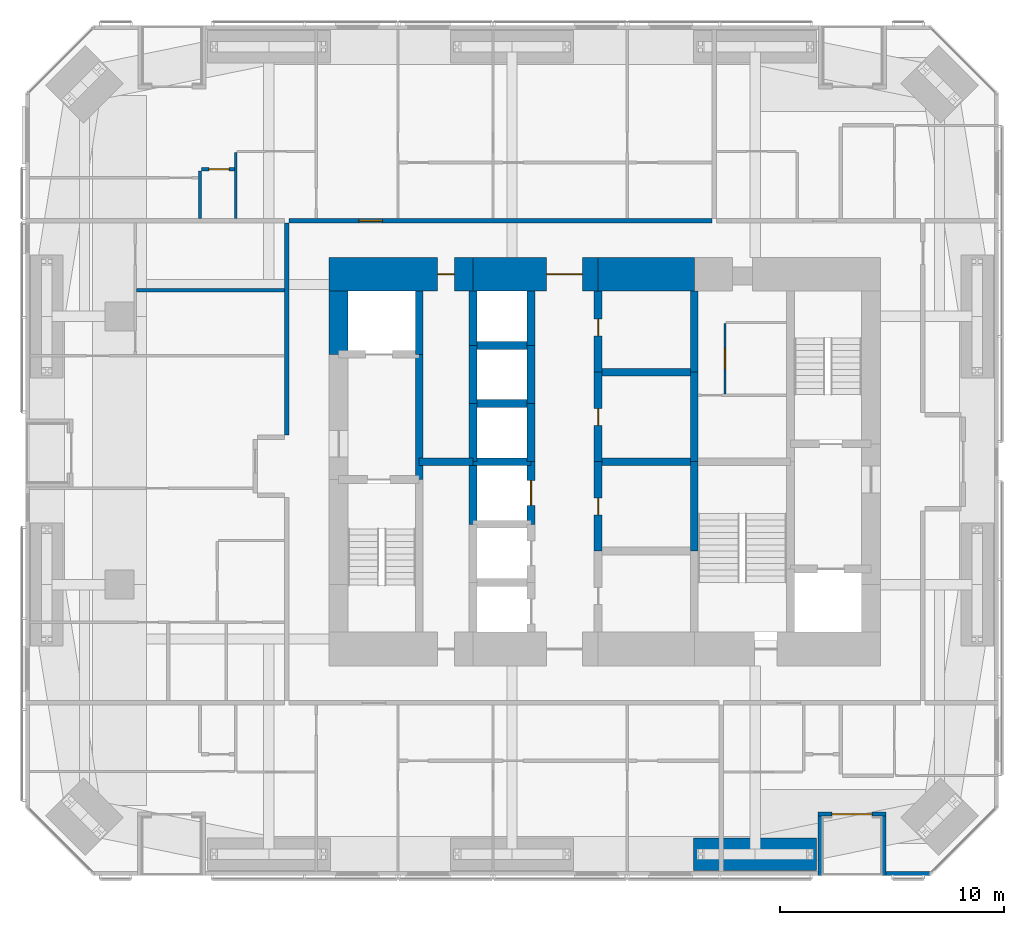
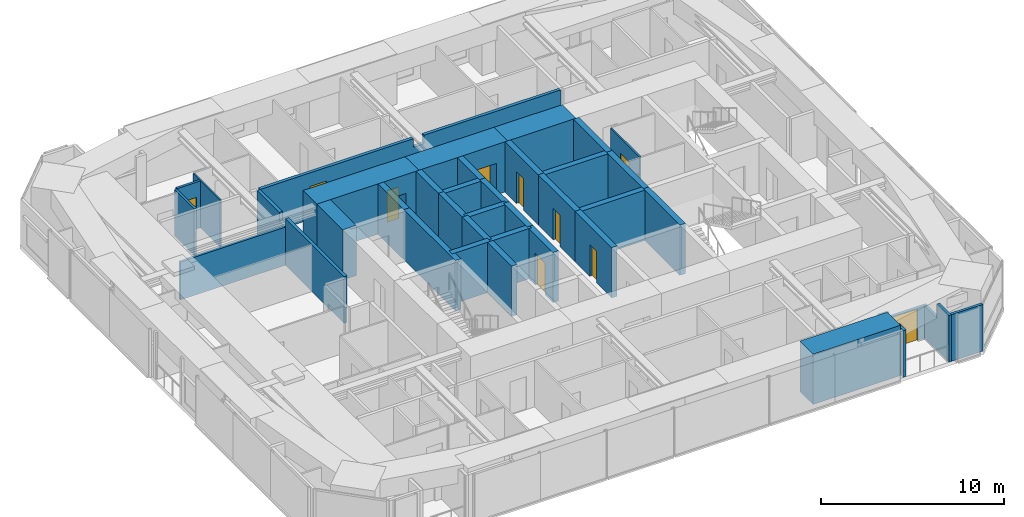
# One storey, part 19 of 23: 39 walls, 10 doors, 10 openings.
"""IFC4 building model written with IfcOpenShell, lengths in metres."""

import ifcopenshell
import ifcopenshell.guid

model = None  # the IFC model being written
_history = None  # IfcOwnerHistory: only IFC2X3 demands one
_inside = {}  # id of a spatial element -> (the spatial element, [elements in it])
_under = {}  # id of a project, library or spatial element -> (it, [spatial elements below it])
_declared = {}  # id of a project -> (the project, [libraries it declares])
_typed = {}  # id of a type object -> (the type object, [elements of that type])
_made_of = {}  # id of a material, layer set ... -> (it, [elements and type objects made of it])


def new_model(schema):
    """Start an empty IFC model of exactly this schema.

    Asked for "IFC4X3", IfcOpenShell would pick the latest addendum, in which some entities
    have other attributes; the version numbers below select the first issue.
    IFC2X3 requires an IfcOwnerHistory on every rooted entity: one is made here for all.
    """
    global model, _history
    if schema == "IFC4X3":
        model = ifcopenshell.file(schema_version=(4, 3, 0, 0))
    else:
        model = ifcopenshell.file(schema=schema)
    _inside.clear()
    _under.clear()
    _declared.clear()
    _typed.clear()
    _made_of.clear()
    _history = None
    if model.schema == "IFC2X3":
        org = make("IfcOrganization", Name="unknown")
        user = make(
            "IfcPersonAndOrganization",
            ThePerson=make("IfcPerson", FamilyName="unknown"),
            TheOrganization=org,
        )
        app = make(
            "IfcApplication",
            ApplicationDeveloper=org,
            Version="unknown",
            ApplicationFullName="unknown",
            ApplicationIdentifier="unknown",
        )
        _history = make(
            "IfcOwnerHistory",
            OwningUser=user,
            OwningApplication=app,
            ChangeAction="ADDED",
            CreationDate=0,
        )
    return model


def make(cls, **values):
    """One entity of the class cls with the attributes given. An attribute that is None is left unset."""
    return model.create_entity(
        cls, **{name: value for name, value in values.items() if value is not None}
    )


def rooted(cls, **values):
    """An entity with a GlobalId (a new one), such as an element, a storey or a relation."""
    return make(cls, GlobalId=ifcopenshell.guid.new(), OwnerHistory=_history, **values)


def si_unit(unit_type, name, prefix=None):
    """IfcSIUnit, for example si_unit("LENGTHUNIT", "METRE", prefix="MILLI")."""
    return make("IfcSIUnit", UnitType=unit_type, Prefix=prefix, Name=name)


def assignment(units):
    """IfcUnitAssignment: the units of a project."""
    return None if units is None else make("IfcUnitAssignment", Units=units)


def point(xyz):
    """IfcCartesianPoint."""
    return None if xyz is None else make("IfcCartesianPoint", Coordinates=xyz)


def direction(xyz):
    """IfcDirection."""
    return None if xyz is None else make("IfcDirection", DirectionRatios=xyz)


def frame(location, z_axis=None, x_axis=None):
    """IfcAxis2Placement3D, a coordinate frame: its origin and axes. An axis left out is left unset."""
    return make(
        "IfcAxis2Placement3D",
        Location=point(location),
        Axis=direction(z_axis),
        RefDirection=direction(x_axis),
    )


def frame_2d(location, x_axis=None):
    """IfcAxis2Placement2D, a coordinate frame in the plane: its origin and x axis."""
    return make(
        "IfcAxis2Placement2D", Location=point(location), RefDirection=direction(x_axis)
    )


def origin():
    """The frame at (0, 0, 0) with its axes left unset."""
    return frame((0.0, 0.0, 0.0))


def place(relative_to, where):
    """IfcLocalPlacement: puts the frame where relative to a parent placement (None: the world)."""
    return make(
        "IfcLocalPlacement", PlacementRelTo=relative_to, RelativePlacement=where
    )


def context(
    kind, dimensions, precision=None, world=None, true_north=None, identifier=None
):
    """IfcGeometricRepresentationContext, for example the 3D "Model" context."""
    return make(
        "IfcGeometricRepresentationContext",
        ContextIdentifier=identifier,
        ContextType=kind,
        CoordinateSpaceDimension=dimensions,
        Precision=precision,
        WorldCoordinateSystem=world,
        TrueNorth=true_north,
    )


def subcontext(parent, identifier, kind, view, scale=None):
    """IfcGeometricRepresentationSubContext, for example "Body" below "Model"."""
    return make(
        "IfcGeometricRepresentationSubContext",
        ContextIdentifier=identifier,
        ContextType=kind,
        ParentContext=parent,
        TargetScale=scale,
        TargetView=view,
    )


def project(units=None, contexts=None):
    """IfcProject with its units and contexts."""
    return rooted(
        "IfcProject",
        Name="project",
        RepresentationContexts=contexts,
        UnitsInContext=assignment(units),
    )


def spatial(cls, under=None, at=None, **own):
    """A site, building, storey or space (cls), placed at a placement, below another one or the project."""
    s = rooted(cls, ObjectPlacement=at, **own)
    if under is not None:
        _under.setdefault(under.id(), (under, []))[1].append(s)
    return s


def polyline(points):
    """IfcPolyline through the points."""
    return make("IfcPolyline", Points=[point(p) for p in points])


def profile(cls, at=None, kind="AREA", **sizes):
    """A parametric profile (cls). Its sizes go by their IFC names, for example OverallWidth=200.0."""
    return make(cls, ProfileType=kind, Position=at, **sizes)


def rectangle(**sizes):
    """IfcRectangleProfileDef."""
    return profile("IfcRectangleProfileDef", **sizes)


def outline(outer, holes=None, kind="AREA"):
    """IfcArbitraryClosedProfileDef: a profile drawn as a closed curve; with holes, ...WithVoids."""
    if holes is None:
        return make("IfcArbitraryClosedProfileDef", ProfileType=kind, OuterCurve=outer)
    return make(
        "IfcArbitraryProfileDefWithVoids",
        ProfileType=kind,
        OuterCurve=outer,
        InnerCurves=holes,
    )


def extrude(swept, where, along, depth):
    """IfcExtrudedAreaSolid: the profile swept, set in the frame where, extruded along a direction by depth."""
    return make(
        "IfcExtrudedAreaSolid",
        SweptArea=swept,
        Position=where,
        ExtrudedDirection=direction(along),
        Depth=depth,
    )


def shape(context_of_items, identifier, shape_type, items):
    """IfcShapeRepresentation: the items that make up one representation, for example the "Body"."""
    return make(
        "IfcShapeRepresentation",
        ContextOfItems=context_of_items,
        RepresentationIdentifier=identifier,
        RepresentationType=shape_type,
        Items=items,
    )


def material(Name=None, Category=None):
    """IfcMaterial."""
    return make("IfcMaterial", Name=Name, Category=Category)


def layer(
    of_material, thickness, ventilated=None, Name=None, Category=None, Priority=None
):
    """IfcMaterialLayer: one layer of a wall or slab, of a material (None: an air gap)."""
    return make(
        "IfcMaterialLayer",
        Material=of_material,
        LayerThickness=thickness,
        IsVentilated=ventilated,
        Name=Name,
        Category=Category,
        Priority=Priority,
    )


def layer_set(layers, Name=None):
    """IfcMaterialLayerSet."""
    return make("IfcMaterialLayerSet", MaterialLayers=layers, LayerSetName=Name)


def constituent(of_material, Name=None, Category=None, fraction=None):
    """IfcMaterialConstituent: one of the materials an element consists of."""
    return make(
        "IfcMaterialConstituent",
        Name=Name,
        Material=of_material,
        Fraction=fraction,
        Category=Category,
    )


def constituent_set(constituents=None, Name=None):
    """IfcMaterialConstituentSet."""
    return make(
        "IfcMaterialConstituentSet", Name=Name, MaterialConstituents=constituents
    )


def made_of(thing, what):
    """Note that an element or type object is made of a material, layer set ...; save() writes the relation."""
    if what is not None:
        _made_of.setdefault(what.id(), (what, []))[1].append(thing)
    return thing


def type_object(cls, material=None, **own):
    """A type object (cls), such as IfcWallType, which elements share."""
    return made_of(rooted(cls, **own), material)


def element(
    cls,
    number,
    at=None,
    inside=None,
    cuts=None,
    type_object=None,
    material=None,
    context=None,
    identifier="Body",
    shape_type=None,
    held_by="IfcProductDefinitionShape",
    body=None,
    shapes=None,
    **own,
):
    """One element of the class cls, such as IfcWall. Its Tag is "e" and its number.

    at: its placement. inside: the storey or other place that contains it. cuts: it is an
    opening in that element (IfcRelVoidsElement). A single representation is given by context,
    identifier, shape_type and body (its items); several are given by shapes. held_by: the class
    of the entity that holds the representations. save() writes the other relations.
    """
    e = rooted(cls, Tag="e%d" % number, ObjectPlacement=at, **own)
    if body is not None:
        shapes = [shape(context, identifier, shape_type, body)]
    if shapes is not None:
        e.Representation = make(held_by, Representations=shapes)
    if inside is not None:
        _inside.setdefault(inside.id(), (inside, []))[1].append(e)
    if cuts is not None:
        rooted(
            "IfcRelVoidsElement", RelatingBuildingElement=cuts, RelatedOpeningElement=e
        )
    if type_object is not None:
        _typed.setdefault(type_object.id(), (type_object, []))[1].append(e)
    return made_of(e, material)


def fill(opening, filler):
    """IfcRelFillsElement: the door or window that sits in an opening."""
    return rooted(
        "IfcRelFillsElement",
        RelatingOpeningElement=opening,
        RelatedBuildingElement=filler,
    )


def aggregate(whole, parts):
    """IfcRelAggregates: a whole, such as a stair, and the parts it consists of."""
    return rooted("IfcRelAggregates", RelatingObject=whole, RelatedObjects=parts)


def save(model, path):
    """Write the relations noted so far, then the file.

    IfcRelAggregates (storeys below a building ...), IfcRelContainedInSpatialStructure (elements
    in a storey), IfcRelDefinesByType, IfcRelAssociatesMaterial and IfcRelDeclares: one each for
    every whole, place, type object, material and project.
    """
    for whole, parts in _under.values():
        aggregate(whole, parts)
    for where, things in _inside.values():
        rooted(
            "IfcRelContainedInSpatialStructure",
            RelatedElements=things,
            RelatingStructure=where,
        )
    for kind, things in _typed.values():
        rooted("IfcRelDefinesByType", RelatedObjects=things, RelatingType=kind)
    for what, things in _made_of.values():
        rooted("IfcRelAssociatesMaterial", RelatedObjects=things, RelatingMaterial=what)
    for by, libraries in _declared.values():
        rooted("IfcRelDeclares", RelatingContext=by, RelatedDefinitions=libraries)
    model.write(path)


model = new_model("IFC4")

# Units and contexts
model_context = context("Model", 3, precision=1e-05, world=origin(), true_north=direction((0.0, 1.0)))
body_context = subcontext(model_context, "Body", "Model", "MODEL_VIEW")
ifc_project = project(units=[si_unit("LENGTHUNIT", "METRE"), si_unit("AREAUNIT", "SQUARE_METRE"), si_unit("VOLUMEUNIT", "CUBIC_METRE"), si_unit("PLANEANGLEUNIT", "RADIAN"), si_unit("MASSUNIT", "GRAM", prefix="KILO")], contexts=[model_context])

# Site, building, storey
site_placement = place(None, origin())
site = spatial("IfcSite", under=ifc_project, at=site_placement, CompositionType="ELEMENT")
building_placement = place(site_placement, origin())
building = spatial("IfcBuilding", under=site, at=building_placement, Name="Jalousie Tower", CompositionType="ELEMENT")
storey_placement = place(building_placement, frame((0.0, 0.0, 114.89990234375)))
storey = spatial("IfcBuildingStorey", under=building, at=storey_placement, Name="L31", CompositionType="ELEMENT", Elevation=114.89990234375)

# Wall, opening, door
ifc_material_1 = material(Name="Concrete block ASTM C90", Category="concrete")
ifc_constituent_1 = constituent(ifc_material_1, Name="Body")
ifc_material_2 = material(Name="Render")
ifc_constituent_2 = constituent(ifc_material_2, Name="Finish")
ifc_constituent_set_1 = constituent_set(constituents=[ifc_constituent_1, ifc_constituent_2])
wall_type_1 = type_object("IfcWallType", Name="BATHROOM WALL 150", PredefinedType="PLUMBINGWALL", material=ifc_constituent_set_1)
wall_1_placement = place(storey_placement, frame((13.875, 31.574951171875, 0.0), z_axis=(0.0, 0.0, 1.0), x_axis=(1.0, 0.0, 0.0)))
wall_1 = element("IfcWall", 1, at=wall_1_placement, inside=storey, type_object=wall_type_1, Name="Bathroom Wall 150 L31", PredefinedType="PLUMBINGWALL", context=body_context, shape_type="SweptSolid", body=[
    extrude(rectangle(XDim=1.47509765625, YDim=0.14990234375, at=frame_2d((0.737548828125, 0.0))), origin(), (0.0, 0.0, 1.0), 3.110107421875),
])
opening_1_placement = place(wall_1_placement, frame((0.324951171875, 0.0, 0.0)))
opening_1 = element("IfcOpeningElement", 2, at=opening_1_placement, cuts=wall_1, Name="Opening D7", PredefinedType="OPENING", context=body_context, shape_type="SweptSolid", body=[
    extrude(rectangle(XDim=0.89990234375, YDim=2.10009765625, at=frame_2d((0.449951171875, 1.050048828125))), frame((0.0, 0.0849609375, 0.0), z_axis=(0.0, -1.0, 0.0), x_axis=(1.0, 0.0, 0.0)), (0.0, 0.0, 1.0), 0.169921875),
])
ifc_material_3 = material(Name="Timber door", Category="wood")
door_type_1 = type_object("IfcDoorType", Name="INTERNAL DOOR 900", OperationType="SINGLE_SWING_LEFT", PredefinedType="DOOR", material=ifc_material_3)
door_1_placement = place(opening_1_placement, frame((0.89990234375, 0.0, 0.0), z_axis=(0.0, 0.0, 1.0), x_axis=(-1.0, 0.0, 0.0)))
door_1 = element("IfcDoor", 3, at=door_1_placement, inside=storey, type_object=door_type_1, Name="Apartment 3103 guest WC door", OperationType="SINGLE_SWING_LEFT", OverallHeight=2.10009765625, OverallWidth=0.89990234375, PredefinedType="DOOR", context=body_context, shape_type="SweptSolid", body=[
    extrude(rectangle(XDim=0.89990234375, YDim=2.10009765625, at=frame_2d((0.449951171875, 1.050048828125))), frame((0.0, 0.02490234375, 0.0), z_axis=(0.0, -1.0, 0.0), x_axis=(1.0, 0.0, 0.0)), (0.0, 0.0, 1.0), 0.050048828125),
])
fill(opening_1, door_1)

# Walls
wall_2_placement = place(storey_placement, frame((13.800048828125, 31.5, 0.0), z_axis=(0.0, 0.0, 1.0), x_axis=(0.0, -1.0, 0.0)))
element("IfcWall", 4, at=wall_2_placement, inside=storey, type_object=wall_type_1, Name="Bathroom Wall 150 L31", PredefinedType="PLUMBINGWALL", context=body_context, shape_type="SweptSolid", body=[
    extrude(rectangle(XDim=2.125, YDim=0.14990234375, at=frame_2d((1.0625, 0.0))), origin(), (0.0, 0.0, 1.0), 3.110107421875),
])
wall_3_placement = place(storey_placement, frame((10.949951171875, 26.166748046875, 0.0), z_axis=(0.0, 0.0, 1.0), x_axis=(1.0, 0.0, 0.0)))
element("IfcWall", 5, at=wall_3_placement, inside=storey, type_object=wall_type_1, Name="Bathroom Wall 150 L31", PredefinedType="PLUMBINGWALL", context=body_context, shape_type="SweptSolid", body=[
    extrude(outline(polyline([(0.0, 0.0), (6.625, 0.0), (6.625, 3.110107421875), (6.625, 2.541015625), (0.534912109375, 2.541015625), (0.534912109375, 2.510009765625), (0.0, 2.510009765625), (0.0, 3.110107421875), (0.0, 0.0)])), frame((0.0, 0.074951171875, 0.0), z_axis=(0.0, -1.0, 0.0), x_axis=(1.0, 0.0, 0.0)), (0.0, 0.0, 1.0), 0.14990234375),
])
ifc_material_4 = material(Name="Concrete f'c 120 MPa", Category="concrete")
ifc_layer_1 = layer(ifc_material_4, 1.5)
ifc_layer_set_1 = layer_set([ifc_layer_1], Name="Concrete f'c 120 MPa")
wall_type_2 = type_object("IfcWallType", Name="CORE WALL 1500", PredefinedType="SHEAR", material=ifc_layer_set_1)
wall_4_placement = place(storey_placement, frame((35.89990234375, 26.875, 0.0), z_axis=(0.0, 0.0, 1.0), x_axis=(-1.0, 0.0, 0.0)))
element("IfcWall", 6, at=wall_4_placement, inside=storey, type_object=wall_type_2, Name="Core wall NB L31", PredefinedType="SHEAR", context=body_context, shape_type="SweptSolid", body=[
    extrude(rectangle(XDim=4.2998046875, YDim=1.5, at=frame_2d((2.14990234375, 0.0))), origin(), (0.0, 0.0, 1.0), 3.35009765625),
])

# Wall, opening, door
wall_5_placement = place(storey_placement, frame((31.60009765625, 26.875, 0.0), z_axis=(0.0, 0.0, 1.0), x_axis=(-1.0, 0.0, 0.0)))
wall_5 = element("IfcWall", 7, at=wall_5_placement, inside=storey, type_object=wall_type_2, Name="Core wall NC L31", PredefinedType="SHEAR", context=body_context, shape_type="SweptSolid", body=[
    extrude(rectangle(XDim=5.60009765625, YDim=1.5, at=frame_2d((2.800048828125, 0.0))), origin(), (0.0, 0.0, 1.0), 3.35009765625),
])
opening_2_placement = place(wall_5_placement, frame((0.699951171875, 0.0, 0.0)))
opening_2 = element("IfcOpeningElement", 8, at=opening_2_placement, cuts=wall_5, Name="Opening D15", PredefinedType="OPENING", context=body_context, shape_type="SweptSolid", body=[
    extrude(rectangle(XDim=1.60009765625, YDim=2.10009765625, at=frame_2d((0.800048828125, 1.050048828125))), frame((0.0, 0.760009765625, 0.0), z_axis=(0.0, -1.0, 0.0), x_axis=(1.0, 0.0, 0.0)), (0.0, 0.0, 1.0), 1.52001953125),
])
ifc_material_5 = material(Name="Steel fire door", Category="steel")
door_type_2 = type_object("IfcDoorType", Name="LIFT LOBBY DOOR 1600", OperationType="DOUBLE_DOOR_SINGLE_SWING", PredefinedType="DOOR", material=ifc_material_5)
door_2_placement = place(opening_2_placement, origin())
door_2 = element("IfcDoor", 9, at=door_2_placement, inside=storey, type_object=door_type_2, Name="Lift lobby north door", OperationType="DOUBLE_DOOR_SINGLE_SWING", OverallHeight=2.10009765625, OverallWidth=1.60009765625, PredefinedType="DOOR", context=body_context, shape_type="SweptSolid", body=[
    extrude(rectangle(XDim=1.60009765625, YDim=2.10009765625, at=frame_2d((0.800048828125, 1.050048828125))), frame((0.0, 0.02490234375, 0.0), z_axis=(0.0, -1.0, 0.0), x_axis=(1.0, 0.0, 0.0)), (0.0, 0.0, 1.0), 0.050048828125),
])
fill(opening_2, door_2)

wall_6_placement = place(storey_placement, frame((26.0, 26.875, 0.0), z_axis=(0.0, 0.0, 1.0), x_axis=(-1.0, 0.0, 0.0)))
wall_6 = element("IfcWall", 10, at=wall_6_placement, inside=storey, type_object=wall_type_2, Name="Core wall ND L31", PredefinedType="SHEAR", context=body_context, shape_type="SweptSolid", body=[
    extrude(rectangle(XDim=6.425048828125, YDim=1.5, at=frame_2d((3.21240234375, 0.0))), origin(), (0.0, 0.0, 1.0), 3.35009765625),
])
opening_3_placement = place(wall_6_placement, frame((0.824951171875, 0.0, 0.0)))
opening_3 = element("IfcOpeningElement", 11, at=opening_3_placement, cuts=wall_6, Name="Opening D16", PredefinedType="OPENING", context=body_context, shape_type="SweptSolid", body=[
    extrude(rectangle(XDim=0.75, YDim=2.10009765625, at=frame_2d((0.375, 1.050048828125))), frame((0.0, 0.760009765625, 0.0), z_axis=(0.0, -1.0, 0.0), x_axis=(1.0, 0.0, 0.0)), (0.0, 0.0, 1.0), 1.52001953125),
])
ifc_material_6 = material(Name="Steel fire door", Category="steel")
door_type_3 = type_object("IfcDoorType", Name="RISER DOOR 750", OperationType="SINGLE_SWING_LEFT", PredefinedType="DOOR", material=ifc_material_6)
door_3_placement = place(opening_3_placement, origin())
door_3 = element("IfcDoor", 12, at=door_3_placement, inside=storey, type_object=door_type_3, Name="North riser door", OperationType="SINGLE_SWING_RIGHT", OverallHeight=2.10009765625, OverallWidth=0.75, PredefinedType="DOOR", context=body_context, shape_type="SweptSolid", body=[
    extrude(rectangle(XDim=0.75, YDim=2.10009765625, at=frame_2d((0.375, 1.050048828125))), frame((0.0, 0.02490234375, 0.0), z_axis=(0.0, -1.0, 0.0), x_axis=(1.0, 0.0, 0.0)), (0.0, 0.0, 1.0), 0.050048828125),
])
fill(opening_3, door_3)

# Walls
ifc_material_7 = material(Name="Concrete f'c 120 MPa", Category="concrete")
ifc_layer_2 = layer(ifc_material_7, 0.35009765625)
ifc_layer_set_2 = layer_set([ifc_layer_2], Name="Concrete f'c 120 MPa")
wall_type_3 = type_object("IfcWallType", Name="CORE WALL 350", PredefinedType="SHEAR", material=ifc_layer_set_2)
wall_7_placement = place(storey_placement, frame((23.60009765625, 17.699951171875, 0.0), z_axis=(0.0, 0.0, 1.0), x_axis=(0.0, 1.0, 0.0)))
element("IfcWall", 13, at=wall_7_placement, inside=storey, type_object=wall_type_3, Name="Core wall X23.6B L31", PredefinedType="SHEAR", context=body_context, shape_type="SweptSolid", body=[
    extrude(rectangle(XDim=5.60009765625, YDim=0.35009765625, at=frame_2d((2.800048828125, 0.0))), origin(), (0.0, 0.0, 1.0), 3.35009765625),
])
wall_8_placement = place(storey_placement, frame((23.60009765625, 23.300048828125, 0.0), z_axis=(0.0, 0.0, 1.0), x_axis=(0.0, 1.0, 0.0)))
element("IfcWall", 14, at=wall_8_placement, inside=storey, type_object=wall_type_3, Name="Core wall X23.6C L31", PredefinedType="SHEAR", context=body_context, shape_type="SweptSolid", body=[
    extrude(rectangle(XDim=2.824951171875, YDim=0.35009765625, at=frame_2d((1.41259765625, 0.0))), origin(), (0.0, 0.0, 1.0), 3.35009765625),
])
wall_9_placement = place(storey_placement, frame((26.0, 15.699951171875, 0.0), z_axis=(0.0, 0.0, 1.0), x_axis=(0.0, 1.0, 0.0)))
element("IfcWall", 15, at=wall_9_placement, inside=storey, type_object=wall_type_3, Name="Core wall X26C L31", PredefinedType="SHEAR", context=body_context, shape_type="SweptSolid", body=[
    extrude(rectangle(XDim=2.800048828125, YDim=0.35009765625, at=frame_2d((1.39990234375, 0.0))), origin(), (0.0, 0.0, 1.0), 3.35009765625),
])
wall_10_placement = place(storey_placement, frame((26.0, 18.5, 0.0), z_axis=(0.0, 0.0, 1.0), x_axis=(0.0, 1.0, 0.0)))
element("IfcWall", 16, at=wall_10_placement, inside=storey, type_object=wall_type_3, Name="Core wall X26D L31", PredefinedType="SHEAR", context=body_context, shape_type="SweptSolid", body=[
    extrude(rectangle(XDim=2.60009765625, YDim=0.35009765625, at=frame_2d((1.300048828125, 0.0))), origin(), (0.0, 0.0, 1.0), 3.35009765625),
])
wall_11_placement = place(storey_placement, frame((26.0, 21.10009765625, 0.0), z_axis=(0.0, 0.0, 1.0), x_axis=(0.0, 1.0, 0.0)))
element("IfcWall", 17, at=wall_11_placement, inside=storey, type_object=wall_type_3, Name="Core wall X26E L31", PredefinedType="SHEAR", context=body_context, shape_type="SweptSolid", body=[
    extrude(rectangle(XDim=2.599853515625, YDim=0.35009765625, at=frame_2d((1.2998046875, 0.0))), origin(), (0.0, 0.0, 1.0), 3.35009765625),
])
wall_12_placement = place(storey_placement, frame((26.0, 23.699951171875, 0.0), z_axis=(0.0, 0.0, 1.0), x_axis=(0.0, 1.0, 0.0)))
element("IfcWall", 18, at=wall_12_placement, inside=storey, type_object=wall_type_3, Name="Core wall X26F L31", PredefinedType="SHEAR", context=body_context, shape_type="SweptSolid", body=[
    extrude(rectangle(XDim=2.425048828125, YDim=0.35009765625, at=frame_2d((1.21240234375, 0.0))), origin(), (0.0, 0.0, 1.0), 3.35009765625),
])

# Wall, opening, door
wall_13_placement = place(storey_placement, frame((28.60009765625, 15.699951171875, 0.0), z_axis=(0.0, 0.0, 1.0), x_axis=(0.0, 1.0, 0.0)))
wall_13 = element("IfcWall", 19, at=wall_13_placement, inside=storey, type_object=wall_type_3, Name="Core wall X28.6C L31", PredefinedType="SHEAR", context=body_context, shape_type="SweptSolid", body=[
    extrude(rectangle(XDim=2.800048828125, YDim=0.35009765625, at=frame_2d((1.39990234375, 0.0))), origin(), (0.0, 0.0, 1.0), 3.35009765625),
])
opening_4_placement = place(wall_13_placement, frame((0.85009765625, 0.0, 0.0)))
opening_4 = element("IfcOpeningElement", 20, at=opening_4_placement, cuts=wall_13, Name="Opening LD1", PredefinedType="OPENING", context=body_context, shape_type="SweptSolid", body=[
    extrude(rectangle(XDim=1.10009765625, YDim=2.10009765625, at=frame_2d((0.550048828125, 1.050048828125))), frame((0.0, 0.18505859375, 0.0), z_axis=(0.0, -1.0, 0.0), x_axis=(1.0, 0.0, 0.0)), (0.0, 0.0, 1.0), 0.3701171875),
])
ifc_material_8 = material(Name="Steel lift landing door", Category="steel")
door_type_4 = type_object("IfcDoorType", Name="LIFT LANDING DOOR 1100", OperationType="SLIDING_TO_LEFT", PredefinedType="DOOR", material=ifc_material_8)
door_4_placement = place(opening_4_placement, origin())
door_4 = element("IfcDoor", 21, at=door_4_placement, inside=storey, type_object=door_type_4, Name="Lift P3 landing door", OperationType="SLIDING_TO_LEFT", OverallHeight=2.10009765625, OverallWidth=1.10009765625, PredefinedType="DOOR", context=body_context, shape_type="SweptSolid", body=[
    extrude(rectangle(XDim=1.10009765625, YDim=2.10009765625, at=frame_2d((0.550048828125, 1.050048828125))), frame((0.0, 0.02490234375, 0.0), z_axis=(0.0, -1.0, 0.0), x_axis=(1.0, 0.0, 0.0)), (0.0, 0.0, 1.0), 0.050048828125),
])
fill(opening_4, door_4)

# Walls
wall_14_placement = place(storey_placement, frame((28.60009765625, 18.5, 0.0), z_axis=(0.0, 0.0, 1.0), x_axis=(0.0, 1.0, 0.0)))
element("IfcWall", 22, at=wall_14_placement, inside=storey, type_object=wall_type_3, Name="Core wall X28.6D L31", PredefinedType="SHEAR", context=body_context, shape_type="SweptSolid", body=[
    extrude(rectangle(XDim=2.60009765625, YDim=0.35009765625, at=frame_2d((1.300048828125, 0.0))), origin(), (0.0, 0.0, 1.0), 3.35009765625),
])
wall_15_placement = place(storey_placement, frame((28.60009765625, 21.10009765625, 0.0), z_axis=(0.0, 0.0, 1.0), x_axis=(0.0, 1.0, 0.0)))
element("IfcWall", 23, at=wall_15_placement, inside=storey, type_object=wall_type_3, Name="Core wall X28.6E L31", PredefinedType="SHEAR", context=body_context, shape_type="SweptSolid", body=[
    extrude(rectangle(XDim=2.599853515625, YDim=0.35009765625, at=frame_2d((1.2998046875, 0.0))), origin(), (0.0, 0.0, 1.0), 3.35009765625),
])
wall_16_placement = place(storey_placement, frame((28.60009765625, 23.699951171875, 0.0), z_axis=(0.0, 0.0, 1.0), x_axis=(0.0, 1.0, 0.0)))
element("IfcWall", 24, at=wall_16_placement, inside=storey, type_object=wall_type_3, Name="Core wall X28.6F L31", PredefinedType="SHEAR", context=body_context, shape_type="SweptSolid", body=[
    extrude(rectangle(XDim=2.425048828125, YDim=0.35009765625, at=frame_2d((1.21240234375, 0.0))), origin(), (0.0, 0.0, 1.0), 3.35009765625),
])

# Wall, opening, door
wall_17_placement = place(storey_placement, frame((31.60009765625, 14.5, 0.0), z_axis=(0.0, 0.0, 1.0), x_axis=(0.0, 1.0, 0.0)))
wall_17 = element("IfcWall", 25, at=wall_17_placement, inside=storey, type_object=wall_type_3, Name="Core wall X31.6B L31", PredefinedType="SHEAR", context=body_context, shape_type="SweptSolid", body=[
    extrude(rectangle(XDim=4.0, YDim=0.35009765625, at=frame_2d((2.0, 0.0))), origin(), (0.0, 0.0, 1.0), 3.35009765625),
])
opening_5_placement = place(wall_17_placement, frame((1.625, 0.0, 0.0)))
opening_5 = element("IfcOpeningElement", 26, at=opening_5_placement, cuts=wall_17, Name="Opening D16", PredefinedType="OPENING", context=body_context, shape_type="SweptSolid", body=[
    extrude(rectangle(XDim=0.75, YDim=2.10009765625, at=frame_2d((0.375, 1.050048828125))), frame((0.0, 0.18505859375, 0.0), z_axis=(0.0, -1.0, 0.0), x_axis=(1.0, 0.0, 0.0)), (0.0, 0.0, 1.0), 0.3701171875),
])
door_5_placement = place(opening_5_placement, frame((0.75, 0.0, 0.0), z_axis=(0.0, 0.0, 1.0), x_axis=(-1.0, 0.0, 0.0)))
door_5 = element("IfcDoor", 27, at=door_5_placement, inside=storey, type_object=door_type_3, Name="Electrical Room door", OperationType="SINGLE_SWING_RIGHT", OverallHeight=2.10009765625, OverallWidth=0.75, PredefinedType="DOOR", context=body_context, shape_type="SweptSolid", body=[
    extrude(rectangle(XDim=0.75, YDim=2.10009765625, at=frame_2d((0.375, 1.050048828125))), frame((0.0, 0.02490234375, 0.0), z_axis=(0.0, -1.0, 0.0), x_axis=(1.0, 0.0, 0.0)), (0.0, 0.0, 1.0), 0.050048828125),
])
fill(opening_5, door_5)

wall_18_placement = place(storey_placement, frame((31.60009765625, 18.5, 0.0), z_axis=(0.0, 0.0, 1.0), x_axis=(0.0, 1.0, 0.0)))
wall_18 = element("IfcWall", 28, at=wall_18_placement, inside=storey, type_object=wall_type_3, Name="Core wall X31.6C L31", PredefinedType="SHEAR", context=body_context, shape_type="SweptSolid", body=[
    extrude(rectangle(XDim=4.0, YDim=0.35009765625, at=frame_2d((2.0, 0.0))), origin(), (0.0, 0.0, 1.0), 3.35009765625),
])
opening_6_placement = place(wall_18_placement, frame((1.625, 0.0, 0.0)))
opening_6 = element("IfcOpeningElement", 29, at=opening_6_placement, cuts=wall_18, Name="Opening D16", PredefinedType="OPENING", context=body_context, shape_type="SweptSolid", body=[
    extrude(rectangle(XDim=0.75, YDim=2.10009765625, at=frame_2d((0.375, 1.050048828125))), frame((0.0, 0.18505859375, 0.0), z_axis=(0.0, -1.0, 0.0), x_axis=(1.0, 0.0, 0.0)), (0.0, 0.0, 1.0), 0.3701171875),
])
door_6_placement = place(opening_6_placement, frame((0.75, 0.0, 0.0), z_axis=(0.0, 0.0, 1.0), x_axis=(-1.0, 0.0, 0.0)))
door_6 = element("IfcDoor", 30, at=door_6_placement, inside=storey, type_object=door_type_3, Name="Telecom Room door", OperationType="SINGLE_SWING_RIGHT", OverallHeight=2.10009765625, OverallWidth=0.75, PredefinedType="DOOR", context=body_context, shape_type="SweptSolid", body=[
    extrude(rectangle(XDim=0.75, YDim=2.10009765625, at=frame_2d((0.375, 1.050048828125))), frame((0.0, 0.02490234375, 0.0), z_axis=(0.0, -1.0, 0.0), x_axis=(1.0, 0.0, 0.0)), (0.0, 0.0, 1.0), 0.050048828125),
])
fill(opening_6, door_6)

wall_19_placement = place(storey_placement, frame((31.60009765625, 22.5, 0.0), z_axis=(0.0, 0.0, 1.0), x_axis=(0.0, 1.0, 0.0)))
wall_19 = element("IfcWall", 31, at=wall_19_placement, inside=storey, type_object=wall_type_3, Name="Core wall X31.6D L31", PredefinedType="SHEAR", context=body_context, shape_type="SweptSolid", body=[
    extrude(rectangle(XDim=3.625, YDim=0.35009765625, at=frame_2d((1.8125, 0.0))), origin(), (0.0, 0.0, 1.0), 3.35009765625),
])
opening_7_placement = place(wall_19_placement, frame((1.625, 0.0, 0.0)))
opening_7 = element("IfcOpeningElement", 32, at=opening_7_placement, cuts=wall_19, Name="Opening D16", PredefinedType="OPENING", context=body_context, shape_type="SweptSolid", body=[
    extrude(rectangle(XDim=0.75, YDim=2.10009765625, at=frame_2d((0.375, 1.050048828125))), frame((0.0, 0.18505859375, 0.0), z_axis=(0.0, -1.0, 0.0), x_axis=(1.0, 0.0, 0.0)), (0.0, 0.0, 1.0), 0.3701171875),
])
door_7_placement = place(opening_7_placement, frame((0.75, 0.0, 0.0), z_axis=(0.0, 0.0, 1.0), x_axis=(-1.0, 0.0, 0.0)))
door_7 = element("IfcDoor", 33, at=door_7_placement, inside=storey, type_object=door_type_3, Name="Water Services Room door", OperationType="SINGLE_SWING_LEFT", OverallHeight=2.10009765625, OverallWidth=0.75, PredefinedType="DOOR", context=body_context, shape_type="SweptSolid", body=[
    extrude(rectangle(XDim=0.75, YDim=2.10009765625, at=frame_2d((0.375, 1.050048828125))), frame((0.0, 0.02490234375, 0.0), z_axis=(0.0, -1.0, 0.0), x_axis=(1.0, 0.0, 0.0)), (0.0, 0.0, 1.0), 0.050048828125),
])
fill(opening_7, door_7)

# Walls
for number, where, z_axis, x_axis, name in (
    (34, (35.89990234375, 14.5, 0.0), (0.0, 0.0, 1.0), (0.0, 1.0, 0.0), "Core wall X35.9B L31"),
    (35, (35.89990234375, 18.5, 0.0), (0.0, 0.0, 1.0), (0.0, 1.0, 0.0), "Core wall X35.9C L31"),
):
    element("IfcWall", number, at=place(storey_placement, frame(where, z_axis=z_axis, x_axis=x_axis)), inside=storey, type_object=wall_type_3, Name=name, PredefinedType="SHEAR", context=body_context, shape_type="SweptSolid", body=[
        extrude(rectangle(XDim=4.0, YDim=0.35009765625, at=frame_2d((2.0, 0.0))), origin(), (0.0, 0.0, 1.0), 3.35009765625),
    ])
wall_20_placement = place(storey_placement, frame((35.89990234375, 22.5, 0.0), z_axis=(0.0, 0.0, 1.0), x_axis=(0.0, 1.0, 0.0)))
element("IfcWall", 36, at=wall_20_placement, inside=storey, type_object=wall_type_3, Name="Core wall X35.9D L31", PredefinedType="SHEAR", context=body_context, shape_type="SweptSolid", body=[
    extrude(rectangle(XDim=3.625, YDim=0.35009765625, at=frame_2d((1.8125, 0.0))), origin(), (0.0, 0.0, 1.0), 3.35009765625),
])
wall_21_placement = place(storey_placement, frame((23.60009765625, 18.5, 0.0), z_axis=(0.0, 0.0, 1.0), x_axis=(1.0, 0.0, 0.0)))
element("IfcWall", 37, at=wall_21_placement, inside=storey, type_object=wall_type_3, Name="Core wall Y23.6-18.5 L31", PredefinedType="SHEAR", context=body_context, shape_type="SweptSolid", body=[
    extrude(rectangle(XDim=2.39990234375, YDim=0.35009765625, at=frame_2d((1.199951171875, 0.0))), origin(), (0.0, 0.0, 1.0), 3.35009765625),
])
for number, where, z_axis, x_axis, name in (
    (38, (26.0, 18.5, 0.0), (0.0, 0.0, 1.0), (1.0, 0.0, 0.0), "Core wall Y26-18.5 L31"),
    (39, (26.0, 21.10009765625, 0.0), (0.0, 0.0, 1.0), (1.0, 0.0, 0.0), "Core wall Y26-21.1 L31"),
    (40, (26.0, 23.699951171875, 0.0), (0.0, 0.0, 1.0), (1.0, 0.0, 0.0), "Core wall Y26-23.7 L31"),
):
    element("IfcWall", number, at=place(storey_placement, frame(where, z_axis=z_axis, x_axis=x_axis)), inside=storey, type_object=wall_type_3, Name=name, PredefinedType="SHEAR", context=body_context, shape_type="SweptSolid", body=[
        extrude(rectangle(XDim=2.60009765625, YDim=0.35009765625, at=frame_2d((1.300048828125, 0.0))), origin(), (0.0, 0.0, 1.0), 3.35009765625),
    ])
for number, where, z_axis, x_axis, name in (
    (41, (31.60009765625, 18.5, 0.0), (0.0, 0.0, 1.0), (1.0, 0.0, 0.0), "Core wall Y31.6-18.5 L31"),
    (42, (31.60009765625, 22.5, 0.0), (0.0, 0.0, 1.0), (1.0, 0.0, 0.0), "Core wall Y31.6-22.5 L31"),
):
    element("IfcWall", number, at=place(storey_placement, frame(where, z_axis=z_axis, x_axis=x_axis)), inside=storey, type_object=wall_type_3, Name=name, PredefinedType="SHEAR", context=body_context, shape_type="SweptSolid", body=[
        extrude(rectangle(XDim=4.2998046875, YDim=0.35009765625, at=frame_2d((2.14990234375, 0.0))), origin(), (0.0, 0.0, 1.0), 3.35009765625),
    ])
ifc_material_9 = material(Name="Concrete f'c 120 MPa", Category="concrete")
ifc_layer_3 = layer(ifc_material_9, 0.85009765625)
ifc_layer_set_3 = layer_set([ifc_layer_3], Name="Concrete f'c 120 MPa")
wall_type_4 = type_object("IfcWallType", Name="CORE WALL 850", PredefinedType="SHEAR", material=ifc_layer_set_3)
wall_22_placement = place(storey_placement, frame((20.0, 26.125, 0.0), z_axis=(0.0, 0.0, 1.0), x_axis=(0.0, -1.0, 0.0)))
element("IfcWall", 43, at=wall_22_placement, inside=storey, type_object=wall_type_4, Name="Core wall WA L31", PredefinedType="SHEAR", context=body_context, shape_type="SweptSolid", body=[
    extrude(rectangle(XDim=2.824951171875, YDim=0.85009765625, at=frame_2d((1.41259765625, 0.0))), origin(), (0.0, 0.0, 1.0), 3.35009765625),
])

# Wall, opening, door
ifc_material_10 = material(Name="Concrete block ASTM C90", Category="concrete")
ifc_constituent_3 = constituent(ifc_material_10, Name="Body")
ifc_material_11 = material(Name="Render")
ifc_constituent_4 = constituent(ifc_material_11, Name="Finish")
ifc_constituent_set_2 = constituent_set(constituents=[ifc_constituent_3, ifc_constituent_4])
wall_type_5 = type_object("IfcWallType", Name="CORRIDOR WALL 200", PredefinedType="PARTITIONING", material=ifc_constituent_set_2)
wall_23_placement = place(storey_placement, frame((17.77490234375, 29.27490234375, 0.0), z_axis=(0.0, 0.0, 1.0), x_axis=(1.0, 0.0, 0.0)))
wall_23 = element("IfcWall", 44, at=wall_23_placement, inside=storey, type_object=wall_type_5, Name="Corridor Wall 200 L31", PredefinedType="PARTITIONING", context=body_context, shape_type="SweptSolid", body=[
    extrude(outline(polyline([(0.0, 0.0), (18.925048828125, 0.0), (18.925048828125, 3.110107421875), (10.312255859375, 3.110107421875), (10.312255859375, 2.541015625), (9.6376953125, 2.541015625), (9.6376953125, 3.110107421875), (0.0, 3.110107421875), (0.0, 0.0)])), frame((0.0, 0.10009765625, 0.0), z_axis=(0.0, -1.0, 0.0), x_axis=(1.0, 0.0, 0.0)), (0.0, 0.0, 1.0), 0.199951171875),
])
opening_8_placement = place(wall_23_placement, frame((3.125, 0.0, 0.0)))
opening_8 = element("IfcOpeningElement", 45, at=opening_8_placement, cuts=wall_23, Name="Opening D1", PredefinedType="OPENING", context=body_context, shape_type="SweptSolid", body=[
    extrude(rectangle(XDim=1.050048828125, YDim=2.199951171875, at=frame_2d((0.52490234375, 1.10009765625))), frame((0.0, 0.10986328125, 0.0), z_axis=(0.0, -1.0, 0.0), x_axis=(1.0, 0.0, 0.0)), (0.0, 0.0, 1.0), 0.219970703125),
])
ifc_material_12 = material(Name="Timber fire door", Category="wood")
door_type_5 = type_object("IfcDoorType", Name="APARTMENT ENTRANCE DOOR 1050", OperationType="SINGLE_SWING_LEFT", PredefinedType="DOOR", material=ifc_material_12)
door_8_placement = place(opening_8_placement, origin())
door_8 = element("IfcDoor", 46, at=door_8_placement, inside=storey, type_object=door_type_5, Name="Apartment 3103 entrance", OperationType="SINGLE_SWING_RIGHT", OverallHeight=2.199951171875, OverallWidth=1.050048828125, PredefinedType="DOOR", context=body_context, shape_type="SweptSolid", body=[
    extrude(rectangle(XDim=1.050048828125, YDim=2.199951171875, at=frame_2d((0.52490234375, 1.10009765625))), frame((0.0, 0.02490234375, 0.0), z_axis=(0.0, -1.0, 0.0), x_axis=(1.0, 0.0, 0.0)), (0.0, 0.0, 1.0), 0.050048828125),
])
fill(opening_8, door_8)

# Walls
wall_24_placement = place(storey_placement, frame((17.675048828125, 19.699951171875, 0.0), z_axis=(0.0, 0.0, 1.0), x_axis=(0.0, 1.0, 0.0)))
element("IfcWall", 47, at=wall_24_placement, inside=storey, type_object=wall_type_5, Name="Corridor Wall 200 L31", PredefinedType="PARTITIONING", context=body_context, shape_type="SweptSolid", body=[
    extrude(outline(polyline([(0.0, 0.0), (9.47509765625, 0.0), (9.47509765625, 3.110107421875), (7.062255859375, 3.110107421875), (7.062255859375, 2.541015625), (6.3876953125, 2.541015625), (6.3876953125, 3.110107421875), (0.0, 3.110107421875), (0.0, 0.0)])), frame((0.0, 0.10009765625, 0.0), z_axis=(0.0, -1.0, 0.0), x_axis=(1.0, 0.0, 0.0)), (0.0, 0.0, 1.0), 0.199951171875),
])
ifc_material_13 = material(Name="Concrete f'c 40 MPa", Category="concrete")
ifc_constituent_5 = constituent(ifc_material_13, Name="Body")
ifc_material_14 = material(Name="Render, pastel sea green")
ifc_constituent_6 = constituent(ifc_material_14, Name="Finish")
ifc_constituent_set_3 = constituent_set(constituents=[ifc_constituent_5, ifc_constituent_6])
wall_type_6 = type_object("IfcWallType", Name="EXTERNAL WALL 175 SEA GREEN RENDER", PredefinedType="SOLIDWALL", material=ifc_constituent_set_3)
wall_25_placement = place(storey_placement, frame((44.47509765625, 0.08740234375, 0.0), z_axis=(0.0, 0.0, 1.0), x_axis=(1.0, 0.0, 0.0)))
element("IfcWall", 48, at=wall_25_placement, inside=storey, type_object=wall_type_6, Name="External Wall 175 Sea Green Render L31", PredefinedType="SOLIDWALL", context=body_context, shape_type="SweptSolid", body=[
    extrude(rectangle(XDim=1.9736328125, YDim=0.175048828125, at=frame_2d((0.98681640625, 0.0))), origin(), (0.0, 0.0, 1.0), 3.110107421875),
])
wall_26_placement = place(storey_placement, frame((41.425048828125, 2.737548828125, 0.0), z_axis=(0.0, 0.0, 1.0), x_axis=(1.0, 0.0, 0.0)))
element("IfcWall", 49, at=wall_26_placement, inside=storey, type_object=wall_type_6, Name="External Wall 175 Sea Green Render L31-A", PredefinedType="SOLIDWALL", context=body_context, shape_type="SweptSolid", body=[
    extrude(rectangle(XDim=0.625, YDim=0.175048828125, at=frame_2d((0.3125, 0.0))), origin(), (0.0, 0.0, 1.0), 2.510009765625),
])

# Wall, opening, door
wall_27_placement = place(storey_placement, frame((42.050048828125, 2.737548828125, 0.0), z_axis=(0.0, 0.0, 1.0), x_axis=(1.0, 0.0, 0.0)))
wall_27 = element("IfcWall", 50, at=wall_27_placement, inside=storey, type_object=wall_type_6, Name="External Wall 175 Sea Green Render L31-B", PredefinedType="SOLIDWALL", context=body_context, shape_type="SweptSolid", body=[
    extrude(rectangle(XDim=2.425048828125, YDim=0.175048828125, at=frame_2d((1.21240234375, 0.0))), origin(), (0.0, 0.0, 1.0), 2.150146484375),
])
opening_9_placement = place(wall_27_placement, origin())
opening_9 = element("IfcOpeningElement", 51, at=opening_9_placement, cuts=wall_27, Name="Opening D-BAL21", PredefinedType="OPENING", context=body_context, shape_type="SweptSolid", body=[
    extrude(rectangle(XDim=1.800048828125, YDim=2.10009765625, at=frame_2d((0.89990234375, 1.050048828125))), frame((0.0, 0.097412109375, 0.0), z_axis=(0.0, -1.0, 0.0), x_axis=(1.0, 0.0, 0.0)), (0.0, 0.0, 1.0), 0.195068359375),
])
ifc_material_15 = material(Name="Aluminium frame, impact-rated glazing", Category="aluminium")
door_type_6 = type_object("IfcDoorType", Name="BALCONY DOOR 1800x2100", OperationType="SLIDING_TO_LEFT", PredefinedType="DOOR", material=ifc_material_15)
door_9_placement = place(opening_9_placement, origin())
door_9 = element("IfcDoor", 52, at=door_9_placement, inside=storey, type_object=door_type_6, Name="Apartment 3102 living and dining room loggia door", OperationType="SLIDING_TO_LEFT", OverallHeight=2.10009765625, OverallWidth=1.800048828125, PredefinedType="DOOR", context=body_context, shape_type="SweptSolid", body=[
    extrude(rectangle(XDim=1.800048828125, YDim=2.10009765625, at=frame_2d((0.89990234375, 1.050048828125))), frame((0.0, 0.02490234375, 0.0), z_axis=(0.0, -1.0, 0.0), x_axis=(1.0, 0.0, 0.0)), (0.0, 0.0, 1.0), 0.050048828125),
])
fill(opening_9, door_9)

# Walls
wall_28_placement = place(storey_placement, frame((41.512451171875, 0.0, 0.0), z_axis=(0.0, 0.0, 1.0), x_axis=(0.0, 1.0, 0.0)))
element("IfcWall", 53, at=wall_28_placement, inside=storey, type_object=wall_type_6, Name="External Wall 175 Sea Green Render L31", PredefinedType="SOLIDWALL", context=body_context, shape_type="SweptSolid", body=[
    extrude(outline(polyline([(0.0, 0.0), (2.64990234375, 0.0), (2.64990234375, 2.510009765625), (2.373291015625, 2.510009765625), (2.373291015625, 2.150146484375), (0.70458984375, 2.150146484375), (0.70458984375, 3.110107421875), (0.0, 3.110107421875), (0.0, 0.0)])), frame((0.0, 0.08740234375, 0.0), z_axis=(0.0, -1.0, 0.0), x_axis=(1.0, 0.0, 0.0)), (0.0, 0.0, 1.0), 0.175048828125),
])
wall_29_placement = place(storey_placement, frame((44.387451171875, 0.0, 0.0), z_axis=(0.0, 0.0, 1.0), x_axis=(0.0, 1.0, 0.0)))
element("IfcWall", 54, at=wall_29_placement, inside=storey, type_object=wall_type_6, Name="External Wall 175 Sea Green Render L31", PredefinedType="SOLIDWALL", context=body_context, shape_type="SweptSolid", body=[
    extrude(outline(polyline([(0.0, 0.0), (2.64990234375, 0.0), (2.64990234375, 2.150146484375), (1.291015625, 2.150146484375), (1.291015625, 3.110107421875), (0.0, 3.110107421875), (0.0, 0.0)])), frame((0.0, 0.08740234375, 0.0), z_axis=(0.0, -1.0, 0.0), x_axis=(1.0, 0.0, 0.0)), (0.0, 0.0, 1.0), 0.175048828125),
])
ifc_material_16 = material(Name="Gypsum board", Category="gypsum")
ifc_constituent_7 = constituent(ifc_material_16, Name="Body")
ifc_material_17 = material(Name="Light-gauge steel studs ASTM A653 SS Grade 33", Category="steel")
ifc_constituent_8 = constituent(ifc_material_17, Name="Framing")
ifc_constituent_set_4 = constituent_set(constituents=[ifc_constituent_7, ifc_constituent_8])
wall_type_7 = type_object("IfcWallType", Name="PARTITION 100", PredefinedType="PARTITIONING", material=ifc_constituent_set_4)
wall_30_placement = place(storey_placement, frame((15.39990234375, 32.324951171875, 0.0), z_axis=(0.0, 0.0, 1.0), x_axis=(0.0, -1.0, 0.0)))
element("IfcWall", 55, at=wall_30_placement, inside=storey, type_object=wall_type_7, Name="Partition 100 L31", PredefinedType="PARTITIONING", context=body_context, shape_type="SweptSolid", body=[
    extrude(rectangle(XDim=2.949951171875, YDim=0.10009765625, at=frame_2d((1.47509765625, 0.0))), origin(), (0.0, 0.0, 1.0), 3.110107421875),
])

# Wall, opening, door
wall_31_placement = place(storey_placement, frame((37.27490234375, 21.52490234375, 0.0), z_axis=(0.0, 0.0, 1.0), x_axis=(0.0, 1.0, 0.0)))
wall_31 = element("IfcWall", 56, at=wall_31_placement, inside=storey, type_object=wall_type_7, Name="Partition 100 L31", PredefinedType="PARTITIONING", context=body_context, shape_type="SweptSolid", body=[
    extrude(rectangle(XDim=3.150146484375, YDim=0.10009765625, at=frame_2d((1.5751953125, 0.0))), origin(), (0.0, 0.0, 1.0), 3.110107421875),
])
opening_10_placement = place(wall_31_placement, frame((1.125, 0.0, 0.0)))
opening_10 = element("IfcOpeningElement", 57, at=opening_10_placement, cuts=wall_31, Name="Opening D7", PredefinedType="OPENING", context=body_context, shape_type="SweptSolid", body=[
    extrude(rectangle(XDim=0.89990234375, YDim=2.10009765625, at=frame_2d((0.449951171875, 1.050048828125))), frame((0.0, 0.06005859375, 0.0), z_axis=(0.0, -1.0, 0.0), x_axis=(1.0, 0.0, 0.0)), (0.0, 0.0, 1.0), 0.1201171875),
])
door_10_placement = place(opening_10_placement, frame((0.89990234375, 0.0, 0.0), z_axis=(0.0, 0.0, 1.0), x_axis=(-1.0, 0.0, 0.0)))
door_10 = element("IfcDoor", 58, at=door_10_placement, inside=storey, type_object=door_type_1, Name="Ice and vending room door", OperationType="SINGLE_SWING_RIGHT", OverallHeight=2.10009765625, OverallWidth=0.89990234375, PredefinedType="DOOR", context=body_context, shape_type="SweptSolid", body=[
    extrude(rectangle(XDim=0.89990234375, YDim=2.10009765625, at=frame_2d((0.449951171875, 1.050048828125))), frame((0.0, 0.02490234375, 0.0), z_axis=(0.0, -1.0, 0.0), x_axis=(1.0, 0.0, 0.0)), (0.0, 0.0, 1.0), 0.050048828125),
])
fill(opening_10, door_10)

# Wall
ifc_material_18 = material(Name="Concrete f'c 120 MPa", Category="concrete")
ifc_layer_4 = layer(ifc_material_18, 1.449951171875)
ifc_layer_set_4 = layer_set([ifc_layer_4], Name="Concrete f'c 120 MPa")
wall_type_8 = type_object("IfcWallType", Name="RC WALL PIER 1450", PredefinedType="SHEAR", material=ifc_layer_set_4)
wall_32_placement = place(storey_placement, frame((35.875, 0.949951171875, 0.0), z_axis=(0.0, 0.0, 1.0), x_axis=(1.0, 0.0, 0.0)))
element("IfcWall", 59, at=wall_32_placement, inside=storey, type_object=wall_type_8, Name="Wall pier 04 L31", PredefinedType="SHEAR", context=body_context, shape_type="SweptSolid", body=[
    extrude(rectangle(XDim=5.5, YDim=1.449951171875, at=frame_2d((2.75, 0.0))), origin(), (0.0, 0.0, 1.0), 3.35009765625),
])

save(model, "model.ifc")
